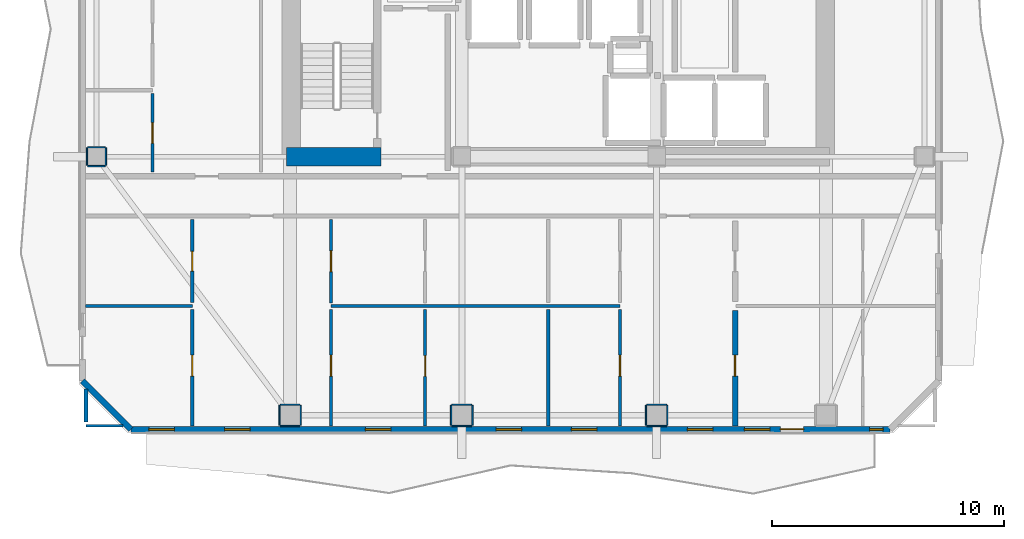
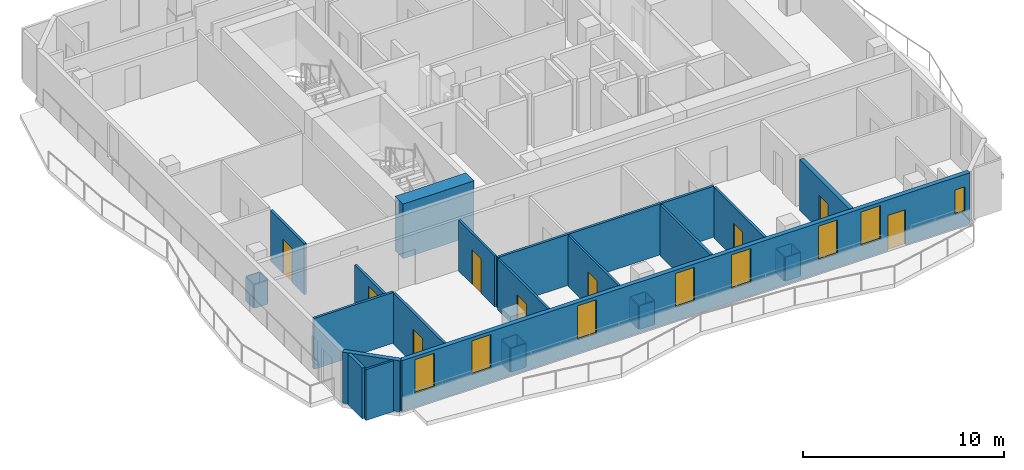
# One storey, part 2 of 10: 32 walls, 9 doors, 8 windows, 17 openings.
"""IFC4 building model written with IfcOpenShell, lengths in metres."""

from ifc_helpers import new_model, si_unit, direction, frame, frame_2d, origin, place, context, subcontext, project, spatial, rectangle, extrude, material, layer, layer_set, type_object, element, fill, save


model = new_model("IFC4")

# Units and contexts
model_context = context("Model", 3, precision=1e-05, world=origin(), true_north=direction((0.0, 1.0)))
body_context = subcontext(model_context, "Body", "Model", "MODEL_VIEW")
ifc_project = project(units=[si_unit("LENGTHUNIT", "METRE"), si_unit("AREAUNIT", "SQUARE_METRE"), si_unit("VOLUMEUNIT", "CUBIC_METRE"), si_unit("PLANEANGLEUNIT", "RADIAN"), si_unit("MASSUNIT", "GRAM", prefix="KILO")], contexts=[model_context])

# Site, building, storey
site_placement = place(None, origin())
site = spatial("IfcSite", under=ifc_project, at=site_placement, CompositionType="ELEMENT")
building_placement = place(site_placement, origin())
building = spatial("IfcBuilding", under=site, at=building_placement, Name="Solanera Arch Residences", CompositionType="ELEMENT")
storey_placement = place(building_placement, frame((0.0, 0.0, 196.800048828125)))
storey = spatial("IfcBuildingStorey", under=building, at=storey_placement, Name="L57", CompositionType="ELEMENT", Elevation=196.800048828125)

# Walls
ifc_material_1 = material(Name="Fire-Rated Gypsum Stud Partition", Category="gypsum")
ifc_layer_1 = layer(ifc_material_1, 0.06005859375)
ifc_layer_set_1 = layer_set([ifc_layer_1], Name="Fire-Rated Gypsum Stud Partition")
wall_type_1 = type_object("IfcWallType", Name="Column Acoustic Furring Wall 60", PredefinedType="PARTITIONING", material=ifc_layer_set_1)
for number, where, z_axis, x_axis, name in (
    (1, (12.97509765625, 10.39306640625, 0.0), (0.0, 0.0, 1.0), (1.0, 0.0, 0.0), "L57 Column Furring 9S"),
    (2, (12.97509765625, 11.306884765625, 0.0), (0.0, 0.0, 1.0), (1.0, 0.0, 0.0), "L57 Column Furring 9N"),
    (3, (12.943115234375, 10.425048828125, 0.0), (0.0, 0.0, 1.0), (0.0, 1.0, 0.0), "L57 Column Furring 9W"),
    (4, (13.85693359375, 10.425048828125, 0.0), (0.0, 0.0, 1.0), (0.0, 1.0, 0.0), "L57 Column Furring 9E"),
):
    element("IfcWall", number, at=place(storey_placement, frame(where, z_axis=z_axis, x_axis=x_axis)), inside=storey, type_object=wall_type_1, Name=name, PredefinedType="PARTITIONING", context=body_context, shape_type="SweptSolid", body=[
        extrude(rectangle(XDim=0.849853515625, YDim=0.06005859375, at=frame_2d((0.4248046875, 0.0))), origin(), (0.0, 0.0, 1.0), 1.449951171875),
    ])
for number, where, z_axis, x_axis, name in (
    (5, (20.375, 10.39306640625, 0.0), (0.0, 0.0, 1.0), (1.0, 0.0, 0.0), "L57 Column Furring 11S"),
    (6, (20.375, 11.306884765625, 0.0), (0.0, 0.0, 1.0), (1.0, 0.0, 0.0), "L57 Column Furring 11N"),
):
    element("IfcWall", number, at=place(storey_placement, frame(where, z_axis=z_axis, x_axis=x_axis)), inside=storey, type_object=wall_type_1, Name=name, PredefinedType="PARTITIONING", context=body_context, shape_type="SweptSolid", body=[
        extrude(rectangle(XDim=0.85009765625, YDim=0.06005859375, at=frame_2d((0.425048828125, 0.0))), origin(), (0.0, 0.0, 1.0), 1.449951171875),
    ])
for number, where, z_axis, x_axis, name in (
    (7, (20.343017578125, 10.425048828125, 0.0), (0.0, 0.0, 1.0), (0.0, 1.0, 0.0), "L57 Column Furring 11W"),
    (8, (21.257080078125, 10.425048828125, 0.0), (0.0, 0.0, 1.0), (0.0, 1.0, 0.0), "L57 Column Furring 11E"),
):
    element("IfcWall", number, at=place(storey_placement, frame(where, z_axis=z_axis, x_axis=x_axis)), inside=storey, type_object=wall_type_1, Name=name, PredefinedType="PARTITIONING", context=body_context, shape_type="SweptSolid", body=[
        extrude(rectangle(XDim=0.849853515625, YDim=0.06005859375, at=frame_2d((0.4248046875, 0.0))), origin(), (0.0, 0.0, 1.0), 1.449951171875),
    ])
for number, where, z_axis, x_axis, name in (
    (9, (28.77490234375, 10.39306640625, 0.0), (0.0, 0.0, 1.0), (1.0, 0.0, 0.0), "L57 Column Furring 13S"),
    (10, (28.77490234375, 11.306884765625, 0.0), (0.0, 0.0, 1.0), (1.0, 0.0, 0.0), "L57 Column Furring 13N"),
):
    element("IfcWall", number, at=place(storey_placement, frame(where, z_axis=z_axis, x_axis=x_axis)), inside=storey, type_object=wall_type_1, Name=name, PredefinedType="PARTITIONING", context=body_context, shape_type="SweptSolid", body=[
        extrude(rectangle(XDim=0.85009765625, YDim=0.06005859375, at=frame_2d((0.425048828125, 0.0))), origin(), (0.0, 0.0, 1.0), 1.449951171875),
    ])
for number, where, z_axis, x_axis, name in (
    (11, (28.742919921875, 10.425048828125, 0.0), (0.0, 0.0, 1.0), (0.0, 1.0, 0.0), "L57 Column Furring 13W"),
    (12, (29.656982421875, 10.425048828125, 0.0), (0.0, 0.0, 1.0), (0.0, 1.0, 0.0), "L57 Column Furring 13E"),
):
    element("IfcWall", number, at=place(storey_placement, frame(where, z_axis=z_axis, x_axis=x_axis)), inside=storey, type_object=wall_type_1, Name=name, PredefinedType="PARTITIONING", context=body_context, shape_type="SweptSolid", body=[
        extrude(rectangle(XDim=0.849853515625, YDim=0.06005859375, at=frame_2d((0.4248046875, 0.0))), origin(), (0.0, 0.0, 1.0), 1.449951171875),
    ])
for number, where, z_axis, x_axis, name in (
    (13, (4.675048828125, 21.593017578125, 0.0), (0.0, 0.0, 1.0), (1.0, 0.0, 0.0), "L57 Column Furring 17S"),
    (14, (4.675048828125, 22.406982421875, 0.0), (0.0, 0.0, 1.0), (1.0, 0.0, 0.0), "L57 Column Furring 17N"),
    (15, (4.64306640625, 21.625, 0.0), (0.0, 0.0, 1.0), (0.0, 1.0, 0.0), "L57 Column Furring 17W"),
    (16, (5.45703125, 21.625, 0.0), (0.0, 0.0, 1.0), (0.0, 1.0, 0.0), "L57 Column Furring 17E"),
):
    element("IfcWall", number, at=place(storey_placement, frame(where, z_axis=z_axis, x_axis=x_axis)), inside=storey, type_object=wall_type_1, Name=name, PredefinedType="PARTITIONING", context=body_context, shape_type="SweptSolid", body=[
        extrude(rectangle(XDim=0.75, YDim=0.06005859375, at=frame_2d((0.375, 0.0))), origin(), (0.0, 0.0, 1.0), 1.449951171875),
    ])
ifc_material_2 = material(Name="Concrete C40/50 (f'c = 45 MPa)", Category="concrete")
ifc_layer_2 = layer(ifc_material_2, 0.800048828125)
ifc_layer_set_2 = layer_set([ifc_layer_2], Name="Concrete C40/50 (f'c = 45 MPa)")
wall_type_2 = type_object("IfcWallType", Name="Core Shear Wall CW-800", PredefinedType="SHEAR", material=ifc_layer_set_2)
wall_1_placement = place(storey_placement, frame((13.239990234375, 22.0, 0.0), z_axis=(0.0, 0.0, 1.0), x_axis=(1.0, 0.0, 0.0)))
element("IfcWall", 17, at=wall_1_placement, inside=storey, type_object=wall_type_2, Name="L57 South-West Core Shear Wall", PredefinedType="SHEAR", context=body_context, shape_type="SweptSolid", body=[
    extrude(rectangle(XDim=4.080078125, YDim=0.800048828125, at=frame_2d((2.0400390625, 0.0))), origin(), (0.0, 0.0, 1.0), 3.320068359375),
])
ifc_material_3 = material(Name="Autoclaved Aerated Concrete Blockwork", Category="masonry")
ifc_layer_3 = layer(ifc_material_3, 0.179931640625)
ifc_layer_set_3 = layer_set([ifc_layer_3], Name="Autoclaved Aerated Concrete Blockwork")
wall_type_3 = type_object("IfcWallType", Name="Corridor Fire Partition 180", PredefinedType="PARTITIONING", material=ifc_layer_set_3)
wall_2_placement = place(storey_placement, frame((4.60009765625, 10.55810546875, 0.0), z_axis=(0.0, 0.0, 1.0), x_axis=(0.0, 1.0, 0.0)))
element("IfcWall", 18, at=wall_2_placement, inside=storey, type_object=wall_type_3, Name="L57 Interior Partition V7 1", PredefinedType="PARTITIONING", context=body_context, shape_type="SweptSolid", body=[
    extrude(rectangle(XDim=1.430908203125, YDim=0.179931640625, at=frame_2d((0.71533203125, 0.0))), origin(), (0.0, 0.0, 1.0), 3.099853515625),
])

# Wall, openings, door, windows
ifc_material_4 = material(Name="Precast Concrete C35/45", Category="concrete")
ifc_layer_4 = layer(ifc_material_4, 0.260009765625)
ifc_layer_set_4 = layer_set([ifc_layer_4], Name="Precast Concrete C35/45")
wall_type_4 = type_object("IfcWallType", Name="Exterior Wall Precast Masonry-Frame 260", PredefinedType="STANDARD", material=ifc_layer_set_4)
wall_3_placement = place(storey_placement, frame((39.2548828125, 10.2451171875, 0.0), z_axis=(0.0, 0.0, 1.0), x_axis=(-1.0, 0.0, 0.0)))
wall_3 = element("IfcWall", 19, at=wall_3_placement, inside=storey, type_object=wall_type_4, Name="L57 Tower Exterior Precast Masonry-Frame Wall S", PredefinedType="STANDARD", context=body_context, shape_type="SweptSolid", body=[
    extrude(rectangle(XDim=32.7099609375, YDim=0.260009765625, at=frame_2d((16.35498046875, 0.0))), origin(), (0.0, 0.0, 1.0), 3.099853515625),
])
opening_1_placement = place(wall_3_placement, frame((3.720947265625, 0.0, 0.0)))
opening_1 = element("IfcOpeningElement", 20, at=opening_1_placement, cuts=wall_3, Name="Opening DB-01", PredefinedType="OPENING", context=body_context, shape_type="SweptSolid", body=[
    extrude(rectangle(XDim=1.0, YDim=2.14990234375, at=frame_2d((0.5, 1.074951171875))), frame((0.0, 0.139892578125, 0.0), z_axis=(0.0, -1.0, 0.0), x_axis=(1.0, 0.0, 0.0)), (0.0, 0.0, 1.0), 0.28),
])
opening_2_placement = place(wall_3_placement, frame((27.575927734375, 0.0, 0.85009765625)))
opening_2 = element("IfcOpeningElement", 21, at=opening_2_placement, cuts=wall_3, Name="Opening W-11", PredefinedType="OPENING", context=body_context, shape_type="SweptSolid", body=[
    extrude(rectangle(XDim=1.10009765625, YDim=2.050048828125, at=frame_2d((0.550048828125, 1.02490234375))), frame((0.0, 0.139892578125, 0.0), z_axis=(0.0, -1.0, 0.0), x_axis=(1.0, 0.0, 0.0)), (0.0, 0.0, 1.0), 0.28),
])
opening_3_placement = place(wall_3_placement, frame((30.845947265625, 0.0, 0.85009765625)))
opening_3 = element("IfcOpeningElement", 22, at=opening_3_placement, cuts=wall_3, Name="Opening W-11", PredefinedType="OPENING", context=body_context, shape_type="SweptSolid", body=[
    extrude(rectangle(XDim=1.10009765625, YDim=2.050048828125, at=frame_2d((0.550048828125, 1.02490234375))), frame((0.0, 0.139892578125, 0.0), z_axis=(0.0, -1.0, 0.0), x_axis=(1.0, 0.0, 0.0)), (0.0, 0.0, 1.0), 0.28),
])
opening_4_placement = place(wall_3_placement, frame((21.514892578125, 0.0, 0.85009765625)))
opening_4 = element("IfcOpeningElement", 23, at=opening_4_placement, cuts=wall_3, Name="Opening W-11", PredefinedType="OPENING", context=body_context, shape_type="SweptSolid", body=[
    extrude(rectangle(XDim=1.10009765625, YDim=2.050048828125, at=frame_2d((0.550048828125, 1.02490234375))), frame((0.0, 0.139892578125, 0.0), z_axis=(0.0, -1.0, 0.0), x_axis=(1.0, 0.0, 0.0)), (0.0, 0.0, 1.0), 0.28),
])
opening_5_placement = place(wall_3_placement, frame((15.8779296875, 0.0, 0.85009765625)))
opening_5 = element("IfcOpeningElement", 24, at=opening_5_placement, cuts=wall_3, Name="Opening W-11", PredefinedType="OPENING", context=body_context, shape_type="SweptSolid", body=[
    extrude(rectangle(XDim=1.10009765625, YDim=2.050048828125, at=frame_2d((0.550048828125, 1.02490234375))), frame((0.0, 0.139892578125, 0.0), z_axis=(0.0, -1.0, 0.0), x_axis=(1.0, 0.0, 0.0)), (0.0, 0.0, 1.0), 0.28),
])
opening_6_placement = place(wall_3_placement, frame((7.632080078125, 0.0, 0.85009765625)))
opening_6 = element("IfcOpeningElement", 25, at=opening_6_placement, cuts=wall_3, Name="Opening W-11", PredefinedType="OPENING", context=body_context, shape_type="SweptSolid", body=[
    extrude(rectangle(XDim=1.10009765625, YDim=2.050048828125, at=frame_2d((0.550048828125, 1.02490234375))), frame((0.0, 0.139892578125, 0.0), z_axis=(0.0, -1.0, 0.0), x_axis=(1.0, 0.0, 0.0)), (0.0, 0.0, 1.0), 0.28),
])
opening_7_placement = place(wall_3_placement, frame((12.631103515625, 0.0, 0.85009765625)))
opening_7 = element("IfcOpeningElement", 26, at=opening_7_placement, cuts=wall_3, Name="Opening W-11", PredefinedType="OPENING", context=body_context, shape_type="SweptSolid", body=[
    extrude(rectangle(XDim=1.10009765625, YDim=2.050048828125, at=frame_2d((0.550048828125, 1.02490234375))), frame((0.0, 0.139892578125, 0.0), z_axis=(0.0, -1.0, 0.0), x_axis=(1.0, 0.0, 0.0)), (0.0, 0.0, 1.0), 0.28),
])
opening_8_placement = place(wall_3_placement, frame((5.177001953125, 0.0, 0.85009765625)))
opening_8 = element("IfcOpeningElement", 27, at=opening_8_placement, cuts=wall_3, Name="Opening W-11", PredefinedType="OPENING", context=body_context, shape_type="SweptSolid", body=[
    extrude(rectangle(XDim=1.10009765625, YDim=2.050048828125, at=frame_2d((0.550048828125, 1.02490234375))), frame((0.0, 0.139892578125, 0.0), z_axis=(0.0, -1.0, 0.0), x_axis=(1.0, 0.0, 0.0)), (0.0, 0.0, 1.0), 0.28),
])
opening_9_placement = place(wall_3_placement, frame((0.29296875, 0.0, 0.85009765625)))
opening_9 = element("IfcOpeningElement", 28, at=opening_9_placement, cuts=wall_3, Name="Opening W-14", PredefinedType="OPENING", context=body_context, shape_type="SweptSolid", body=[
    extrude(rectangle(XDim=0.580078125, YDim=1.5, at=frame_2d((0.2900390625, 0.75))), frame((0.0, 0.139892578125, 0.0), z_axis=(0.0, -1.0, 0.0), x_axis=(1.0, 0.0, 0.0)), (0.0, 0.0, 1.0), 0.28),
])
ifc_material_5 = material(Name="Anodised Aluminium Alloy 6063-T6", Category="aluminium")
door_type_1 = type_object("IfcDoorType", Name="Glazed Balcony Swing Door DB-01", OperationType="NOTDEFINED", PredefinedType="DOOR", material=ifc_material_5)
door_1_placement = place(opening_1_placement, origin())
door_1 = element("IfcDoor", 29, at=door_1_placement, inside=storey, type_object=door_type_1, Name="DR-L57-OUT-01", OperationType="SINGLE_SWING_LEFT", OverallHeight=2.14990234375, OverallWidth=1.0, PredefinedType="DOOR", context=body_context, shape_type="SweptSolid", body=[
    extrude(rectangle(XDim=1.0, YDim=2.14990234375, at=frame_2d((0.5, 1.074951171875))), frame((0.0, 0.02490234375, 0.0), z_axis=(0.0, -1.0, 0.0), x_axis=(1.0, 0.0, 0.0)), (0.0, 0.0, 1.0), 0.050048828125),
])
fill(opening_1, door_1)
ifc_material_6 = material(Name="Double Glazed Low-E Laminated Glass", Category="glass")
window_type_1 = type_object("IfcWindowType", Name="Punched Window W-11", PartitioningType="SINGLE_PANEL", PredefinedType="WINDOW", material=ifc_material_6)
window_1_placement = place(opening_2_placement, origin())
window_1 = element("IfcWindow", 30, at=window_1_placement, inside=storey, type_object=window_type_1, Name="L57 5701-LIV Punched Window", OverallHeight=2.050048828125, OverallWidth=1.10009765625, PartitioningType="SINGLE_PANEL", PredefinedType="WINDOW", context=body_context, shape_type="SweptSolid", body=[
    extrude(rectangle(XDim=1.10009765625, YDim=2.050048828125, at=frame_2d((0.550048828125, 1.02490234375))), frame((0.0, 0.030029296875, 0.0), z_axis=(0.0, -1.0, 0.0), x_axis=(1.0, 0.0, 0.0)), (0.0, 0.0, 1.0), 0.06005859375),
])
fill(opening_2, window_1)
window_2_placement = place(opening_3_placement, origin())
window_2 = element("IfcWindow", 31, at=window_2_placement, inside=storey, type_object=window_type_1, Name="L57 5701-BR1 Punched Window", OverallHeight=2.050048828125, OverallWidth=1.10009765625, PartitioningType="SINGLE_PANEL", PredefinedType="WINDOW", context=body_context, shape_type="SweptSolid", body=[
    extrude(rectangle(XDim=1.10009765625, YDim=2.050048828125, at=frame_2d((0.550048828125, 1.02490234375))), frame((0.0, 0.030029296875, 0.0), z_axis=(0.0, -1.0, 0.0), x_axis=(1.0, 0.0, 0.0)), (0.0, 0.0, 1.0), 0.06005859375),
])
fill(opening_3, window_2)
window_3_placement = place(opening_4_placement, origin())
window_3 = element("IfcWindow", 32, at=window_3_placement, inside=storey, type_object=window_type_1, Name="L57 5701-BR2 Punched Window", OverallHeight=2.050048828125, OverallWidth=1.10009765625, PartitioningType="SINGLE_PANEL", PredefinedType="WINDOW", context=body_context, shape_type="SweptSolid", body=[
    extrude(rectangle(XDim=1.10009765625, YDim=2.050048828125, at=frame_2d((0.550048828125, 1.02490234375))), frame((0.0, 0.030029296875, 0.0), z_axis=(0.0, -1.0, 0.0), x_axis=(1.0, 0.0, 0.0)), (0.0, 0.0, 1.0), 0.06005859375),
])
fill(opening_4, window_3)
window_4_placement = place(opening_5_placement, origin())
window_4 = element("IfcWindow", 33, at=window_4_placement, inside=storey, type_object=window_type_1, Name="L57 5701-BR3 Punched Window", OverallHeight=2.050048828125, OverallWidth=1.10009765625, PartitioningType="SINGLE_PANEL", PredefinedType="WINDOW", context=body_context, shape_type="SweptSolid", body=[
    extrude(rectangle(XDim=1.10009765625, YDim=2.050048828125, at=frame_2d((0.550048828125, 1.02490234375))), frame((0.0, 0.030029296875, 0.0), z_axis=(0.0, -1.0, 0.0), x_axis=(1.0, 0.0, 0.0)), (0.0, 0.0, 1.0), 0.06005859375),
])
fill(opening_5, window_4)
window_5_placement = place(opening_6_placement, origin())
window_5 = element("IfcWindow", 34, at=window_5_placement, inside=storey, type_object=window_type_1, Name="L57 5702-LIV Punched Window", OverallHeight=2.050048828125, OverallWidth=1.10009765625, PartitioningType="SINGLE_PANEL", PredefinedType="WINDOW", context=body_context, shape_type="SweptSolid", body=[
    extrude(rectangle(XDim=1.10009765625, YDim=2.050048828125, at=frame_2d((0.550048828125, 1.02490234375))), frame((0.0, 0.030029296875, 0.0), z_axis=(0.0, -1.0, 0.0), x_axis=(1.0, 0.0, 0.0)), (0.0, 0.0, 1.0), 0.06005859375),
])
fill(opening_6, window_5)
window_6_placement = place(opening_7_placement, origin())
window_6 = element("IfcWindow", 35, at=window_6_placement, inside=storey, type_object=window_type_1, Name="L57 5702-BR1 Punched Window", OverallHeight=2.050048828125, OverallWidth=1.10009765625, PartitioningType="SINGLE_PANEL", PredefinedType="WINDOW", context=body_context, shape_type="SweptSolid", body=[
    extrude(rectangle(XDim=1.10009765625, YDim=2.050048828125, at=frame_2d((0.550048828125, 1.02490234375))), frame((0.0, 0.030029296875, 0.0), z_axis=(0.0, -1.0, 0.0), x_axis=(1.0, 0.0, 0.0)), (0.0, 0.0, 1.0), 0.06005859375),
])
fill(opening_7, window_6)
window_7_placement = place(opening_8_placement, origin())
window_7 = element("IfcWindow", 36, at=window_7_placement, inside=storey, type_object=window_type_1, Name="L57 5702-BR2 Punched Window", OverallHeight=2.050048828125, OverallWidth=1.10009765625, PartitioningType="SINGLE_PANEL", PredefinedType="WINDOW", context=body_context, shape_type="SweptSolid", body=[
    extrude(rectangle(XDim=1.10009765625, YDim=2.050048828125, at=frame_2d((0.550048828125, 1.02490234375))), frame((0.0, 0.030029296875, 0.0), z_axis=(0.0, -1.0, 0.0), x_axis=(1.0, 0.0, 0.0)), (0.0, 0.0, 1.0), 0.06005859375),
])
fill(opening_8, window_7)
ifc_material_7 = material(Name="Double Glazed Low-E Laminated Glass", Category="glass")
window_type_2 = type_object("IfcWindowType", Name="Punched Window W-14", PartitioningType="SINGLE_PANEL", PredefinedType="WINDOW", material=ifc_material_7)
window_8_placement = place(opening_9_placement, origin())
window_8 = element("IfcWindow", 37, at=window_8_placement, inside=storey, type_object=window_type_2, Name="L57 5702-BR3 Punched Window", OverallHeight=1.5, OverallWidth=0.580078125, PartitioningType="SINGLE_PANEL", PredefinedType="WINDOW", context=body_context, shape_type="SweptSolid", body=[
    extrude(rectangle(XDim=0.580078125, YDim=1.5, at=frame_2d((0.2900390625, 0.75))), frame((0.0, 0.030029296875, 0.0), z_axis=(0.0, -1.0, 0.0), x_axis=(1.0, 0.0, 0.0)), (0.0, 0.0, 1.0), 0.06005859375),
])
fill(opening_9, window_8)

# Wall
wall_4_placement = place(storey_placement, frame((6.544921875, 10.2451171875, 0.0), z_axis=(0.0, 0.0, 1.0), x_axis=(-0.707106781187, 0.707106781187, 0.0)))
element("IfcWall", 38, at=wall_4_placement, inside=storey, type_object=wall_type_4, Name="L57 Tower Exterior Precast Masonry-Frame Wall CH7", PredefinedType="STANDARD", context=body_context, shape_type="SweptSolid", body=[
    extrude(rectangle(XDim=2.9697265625, YDim=0.260009765625, at=frame_2d((1.48486328125, 0.0))), origin(), (0.0, 0.0, 1.0), 3.099853515625),
])

# Wall, opening, door
ifc_material_8 = material(Name="Autoclaved Aerated Concrete Blockwork", Category="masonry")
ifc_layer_5 = layer(ifc_material_8, 0.239990234375)
ifc_layer_set_5 = layer_set([ifc_layer_5], Name="Autoclaved Aerated Concrete Blockwork")
wall_type_5 = type_object("IfcWallType", Name="Shaft Wall Fire-Rated 240", PredefinedType="PARTITIONING", material=ifc_layer_set_5)
wall_5_placement = place(storey_placement, frame((32.580078125, 10.386962890625, 0.0), z_axis=(0.0, 0.0, 1.0), x_axis=(0.0, 1.0, 0.0)))
wall_5 = element("IfcWall", 39, at=wall_5_placement, inside=storey, type_object=wall_type_5, Name="L57 Interior Partition V5 1", PredefinedType="PARTITIONING", context=body_context, shape_type="SweptSolid", body=[
    extrude(rectangle(XDim=4.98095703125, YDim=0.239990234375, at=frame_2d((2.490478515625, 0.0))), origin(), (0.0, 0.0, 1.0), 3.099853515625),
])
opening_10_placement = place(wall_5_placement, frame((2.155029296875, 0.0, 0.0)))
opening_10 = element("IfcOpeningElement", 40, at=opening_10_placement, cuts=wall_5, Name="Opening DI-03", PredefinedType="OPENING", context=body_context, shape_type="SweptSolid", body=[
    extrude(rectangle(XDim=0.89990234375, YDim=2.10009765625, at=frame_2d((0.449951171875, 1.050048828125))), frame((0.0, 0.1298828125, 0.0), z_axis=(0.0, -1.0, 0.0), x_axis=(1.0, 0.0, 0.0)), (0.0, 0.0, 1.0), 0.26),
])
ifc_material_9 = material(Name="Fire-Rated Architectural Hardwood", Category="wood")
door_type_2 = type_object("IfcDoorType", Name="Bedroom Swing Door DI-03", OperationType="NOTDEFINED", PredefinedType="DOOR", material=ifc_material_9)
door_2_placement = place(opening_10_placement, origin())
door_2 = element("IfcDoor", 41, at=door_2_placement, inside=storey, type_object=door_type_2, Name="DR-L57-IN-026", OperationType="SINGLE_SWING_LEFT", OverallHeight=2.10009765625, OverallWidth=0.89990234375, PredefinedType="DOOR", context=body_context, shape_type="SweptSolid", body=[
    extrude(rectangle(XDim=0.89990234375, YDim=2.10009765625, at=frame_2d((0.449951171875, 1.050048828125))), frame((0.0, 0.02490234375, 0.0), z_axis=(0.0, -1.0, 0.0), x_axis=(1.0, 0.0, 0.0)), (0.0, 0.0, 1.0), 0.050048828125),
])
fill(opening_10, door_2)

# Wall
ifc_material_10 = material(Name="Fire-Rated Gypsum Stud Partition", Category="gypsum")
ifc_layer_6 = layer(ifc_material_10, 0.1201171875)
ifc_layer_set_6 = layer_set([ifc_layer_6], Name="Fire-Rated Gypsum Stud Partition")
wall_type_6 = type_object("IfcWallType", Name="Unit Drywall Partition 120", PredefinedType="PARTITIONING", material=ifc_layer_set_6)
wall_6_placement = place(storey_placement, frame((4.60009765625, 10.39990234375, 0.0), z_axis=(0.0, 0.0, 1.0), x_axis=(1.0, 0.0, 0.0)))
element("IfcWall", 42, at=wall_6_placement, inside=storey, type_object=wall_type_6, Name="L57 Interior Partition H19 1", PredefinedType="PARTITIONING", context=body_context, shape_type="SweptSolid", body=[
    extrude(rectangle(XDim=1.5888671875, YDim=0.1201171875, at=frame_2d((0.79443359375, 0.0))), origin(), (0.0, 0.0, 1.0), 3.099853515625),
])

# Wall, opening, door
wall_7_placement = place(storey_placement, frame((15.160888671875, 10.386962890625, 0.0), z_axis=(0.0, 0.0, 1.0), x_axis=(0.0, 1.0, 0.0)))
wall_7 = element("IfcWall", 43, at=wall_7_placement, inside=storey, type_object=wall_type_6, Name="L57 Interior Partition V19 1", PredefinedType="PARTITIONING", context=body_context, shape_type="SweptSolid", body=[
    extrude(rectangle(XDim=5.033935546875, YDim=0.1201171875, at=frame_2d((2.51708984375, 0.0))), origin(), (0.0, 0.0, 1.0), 3.099853515625),
])
opening_11_placement = place(wall_7_placement, frame((2.155029296875, 0.0, 0.0)))
opening_11 = element("IfcOpeningElement", 44, at=opening_11_placement, cuts=wall_7, Name="Opening DI-03", PredefinedType="OPENING", context=body_context, shape_type="SweptSolid", body=[
    extrude(rectangle(XDim=0.89990234375, YDim=2.10009765625, at=frame_2d((0.449951171875, 1.050048828125))), frame((0.0, 0.070068359375, 0.0), z_axis=(0.0, -1.0, 0.0), x_axis=(1.0, 0.0, 0.0)), (0.0, 0.0, 1.0), 0.1401),
])
door_3_placement = place(opening_11_placement, origin())
door_3 = element("IfcDoor", 45, at=door_3_placement, inside=storey, type_object=door_type_2, Name="DR-L57-IN-019", OperationType="SINGLE_SWING_RIGHT", OverallHeight=2.10009765625, OverallWidth=0.89990234375, PredefinedType="DOOR", context=body_context, shape_type="SweptSolid", body=[
    extrude(rectangle(XDim=0.89990234375, YDim=2.10009765625, at=frame_2d((0.449951171875, 1.050048828125))), frame((0.0, 0.02490234375, 0.0), z_axis=(0.0, -1.0, 0.0), x_axis=(1.0, 0.0, 0.0)), (0.0, 0.0, 1.0), 0.050048828125),
])
fill(opening_11, door_3)

wall_8_placement = place(storey_placement, frame((15.160888671875, 15.697021484375, 0.0), z_axis=(0.0, 0.0, 1.0), x_axis=(0.0, 1.0, 0.0)))
wall_8 = element("IfcWall", 46, at=wall_8_placement, inside=storey, type_object=wall_type_6, Name="L57 Interior Partition V19 2", PredefinedType="PARTITIONING", context=body_context, shape_type="SweptSolid", body=[
    extrude(rectangle(XDim=3.594970703125, YDim=0.1201171875, at=frame_2d((1.79736328125, 0.0))), origin(), (0.0, 0.0, 1.0), 3.099853515625),
])
opening_12_placement = place(wall_8_placement, frame((1.344970703125, 0.0, 0.0)))
opening_12 = element("IfcOpeningElement", 47, at=opening_12_placement, cuts=wall_8, Name="Opening DI-02", PredefinedType="OPENING", context=body_context, shape_type="SweptSolid", body=[
    extrude(rectangle(XDim=0.89990234375, YDim=2.10009765625, at=frame_2d((0.449951171875, 1.050048828125))), frame((0.0, 0.070068359375, 0.0), z_axis=(0.0, -1.0, 0.0), x_axis=(1.0, 0.0, 0.0)), (0.0, 0.0, 1.0), 0.1401),
])
ifc_material_11 = material(Name="Fire-Rated Architectural Hardwood", Category="wood")
door_type_3 = type_object("IfcDoorType", Name="Suite Room Swing Door DI-02", OperationType="NOTDEFINED", PredefinedType="DOOR", material=ifc_material_11)
door_4_placement = place(opening_12_placement, origin())
door_4 = element("IfcDoor", 48, at=door_4_placement, inside=storey, type_object=door_type_3, Name="DR-L57-IN-017", OperationType="SINGLE_SWING_RIGHT", OverallHeight=2.10009765625, OverallWidth=0.89990234375, PredefinedType="DOOR", context=body_context, shape_type="SweptSolid", body=[
    extrude(rectangle(XDim=0.89990234375, YDim=2.10009765625, at=frame_2d((0.449951171875, 1.050048828125))), frame((0.0, 0.02490234375, 0.0), z_axis=(0.0, -1.0, 0.0), x_axis=(1.0, 0.0, 0.0)), (0.0, 0.0, 1.0), 0.050048828125),
])
fill(opening_12, door_4)

wall_9_placement = place(storey_placement, frame((19.219970703125, 10.386962890625, 0.0), z_axis=(0.0, 0.0, 1.0), x_axis=(0.0, 1.0, 0.0)))
wall_9 = element("IfcWall", 49, at=wall_9_placement, inside=storey, type_object=wall_type_6, Name="L57 Interior Partition V21 1", PredefinedType="PARTITIONING", context=body_context, shape_type="SweptSolid", body=[
    extrude(rectangle(XDim=5.033935546875, YDim=0.1201171875, at=frame_2d((2.51708984375, 0.0))), origin(), (0.0, 0.0, 1.0), 3.099853515625),
])
opening_13_placement = place(wall_9_placement, frame((2.14208984375, 0.0, 0.0)))
opening_13 = element("IfcOpeningElement", 50, at=opening_13_placement, cuts=wall_9, Name="Opening DI-03", PredefinedType="OPENING", context=body_context, shape_type="SweptSolid", body=[
    extrude(rectangle(XDim=0.89990234375, YDim=2.10009765625, at=frame_2d((0.449951171875, 1.050048828125))), frame((0.0, 0.070068359375, 0.0), z_axis=(0.0, -1.0, 0.0), x_axis=(1.0, 0.0, 0.0)), (0.0, 0.0, 1.0), 0.1401),
])
door_5_placement = place(opening_13_placement, origin())
door_5 = element("IfcDoor", 51, at=door_5_placement, inside=storey, type_object=door_type_2, Name="DR-L57-IN-020", OperationType="SINGLE_SWING_LEFT", OverallHeight=2.10009765625, OverallWidth=0.89990234375, PredefinedType="DOOR", context=body_context, shape_type="SweptSolid", body=[
    extrude(rectangle(XDim=0.89990234375, YDim=2.10009765625, at=frame_2d((0.449951171875, 1.050048828125))), frame((0.0, 0.02490234375, 0.0), z_axis=(0.0, -1.0, 0.0), x_axis=(1.0, 0.0, 0.0)), (0.0, 0.0, 1.0), 0.050048828125),
])
fill(opening_13, door_5)

# Walls
ifc_material_12 = material(Name="Autoclaved Aerated Concrete Blockwork", Category="masonry")
ifc_layer_7 = layer(ifc_material_12, 0.139892578125)
ifc_layer_set_7 = layer_set([ifc_layer_7], Name="Autoclaved Aerated Concrete Blockwork")
wall_type_7 = type_object("IfcWallType", Name="Wet-Room Partition 140", PredefinedType="PARTITIONING", material=ifc_layer_set_7)
wall_10_placement = place(storey_placement, frame((4.5869140625, 15.55908203125, 0.0), z_axis=(0.0, 0.0, 1.0), x_axis=(1.0, 0.0, 0.0)))
element("IfcWall", 52, at=wall_10_placement, inside=storey, type_object=wall_type_7, Name="L57 Interior Partition H13", PredefinedType="PARTITIONING", context=body_context, shape_type="SweptSolid", body=[
    extrude(rectangle(XDim=4.59619140625, YDim=0.139892578125, at=frame_2d((2.298095703125, 0.0))), origin(), (0.0, 0.0, 1.0), 3.099853515625),
])
wall_11_placement = place(storey_placement, frame((15.160888671875, 15.55908203125, 0.0), z_axis=(0.0, 0.0, 1.0), x_axis=(1.0, 0.0, 0.0)))
element("IfcWall", 53, at=wall_11_placement, inside=storey, type_object=wall_type_7, Name="L57 Interior Partition H14", PredefinedType="PARTITIONING", context=body_context, shape_type="SweptSolid", body=[
    extrude(rectangle(XDim=12.459228515625, YDim=0.139892578125, at=frame_2d((6.2294921875, 0.0))), origin(), (0.0, 0.0, 1.0), 3.099853515625),
])

# Wall, opening, door
wall_12_placement = place(storey_placement, frame((7.468994140625, 21.347900390625, 0.0), z_axis=(0.0, 0.0, 1.0), x_axis=(0.0, 1.0, 0.0)))
wall_12 = element("IfcWall", 54, at=wall_12_placement, inside=storey, type_object=wall_type_7, Name="L57 Interior Partition V14 1", PredefinedType="PARTITIONING", context=body_context, shape_type="SweptSolid", body=[
    extrude(rectangle(XDim=3.373046875, YDim=0.139892578125, at=frame_2d((1.6865234375, 0.0))), origin(), (0.0, 0.0, 1.0), 3.099853515625),
])
opening_14_placement = place(wall_12_placement, frame((1.22412109375, 0.0, 0.0)))
opening_14 = element("IfcOpeningElement", 55, at=opening_14_placement, cuts=wall_12, Name="Opening DI-02", PredefinedType="OPENING", context=body_context, shape_type="SweptSolid", body=[
    extrude(rectangle(XDim=0.89990234375, YDim=2.10009765625, at=frame_2d((0.449951171875, 1.050048828125))), frame((0.0, 0.079833984375, 0.0), z_axis=(0.0, -1.0, 0.0), x_axis=(1.0, 0.0, 0.0)), (0.0, 0.0, 1.0), 0.1599),
])
door_6_placement = place(opening_14_placement, origin())
door_6 = element("IfcDoor", 56, at=door_6_placement, inside=storey, type_object=door_type_3, Name="DR-L57-IN-033", OperationType="SINGLE_SWING_RIGHT", OverallHeight=2.10009765625, OverallWidth=0.89990234375, PredefinedType="DOOR", context=body_context, shape_type="SweptSolid", body=[
    extrude(rectangle(XDim=0.89990234375, YDim=2.10009765625, at=frame_2d((0.449951171875, 1.050048828125))), frame((0.0, 0.02490234375, 0.0), z_axis=(0.0, -1.0, 0.0), x_axis=(1.0, 0.0, 0.0)), (0.0, 0.0, 1.0), 0.050048828125),
])
fill(opening_14, door_6)

wall_13_placement = place(storey_placement, frame((9.18310546875, 10.386962890625, 0.0), z_axis=(0.0, 0.0, 1.0), x_axis=(0.0, 1.0, 0.0)))
wall_13 = element("IfcWall", 57, at=wall_13_placement, inside=storey, type_object=wall_type_7, Name="L57 Interior Partition V15 1", PredefinedType="PARTITIONING", context=body_context, shape_type="SweptSolid", body=[
    extrude(rectangle(XDim=5.02392578125, YDim=0.139892578125, at=frame_2d((2.511962890625, 0.0))), origin(), (0.0, 0.0, 1.0), 3.099853515625),
])
opening_15_placement = place(wall_13_placement, frame((2.155029296875, 0.0, 0.0)))
opening_15 = element("IfcOpeningElement", 58, at=opening_15_placement, cuts=wall_13, Name="Opening DI-03", PredefinedType="OPENING", context=body_context, shape_type="SweptSolid", body=[
    extrude(rectangle(XDim=0.89990234375, YDim=2.10009765625, at=frame_2d((0.449951171875, 1.050048828125))), frame((0.0, 0.079833984375, 0.0), z_axis=(0.0, -1.0, 0.0), x_axis=(1.0, 0.0, 0.0)), (0.0, 0.0, 1.0), 0.1599),
])
door_7_placement = place(opening_15_placement, origin())
door_7 = element("IfcDoor", 59, at=door_7_placement, inside=storey, type_object=door_type_2, Name="DR-L57-IN-016", OperationType="SINGLE_SWING_LEFT", OverallHeight=2.10009765625, OverallWidth=0.89990234375, PredefinedType="DOOR", context=body_context, shape_type="SweptSolid", body=[
    extrude(rectangle(XDim=0.89990234375, YDim=2.10009765625, at=frame_2d((0.449951171875, 1.050048828125))), frame((0.0, 0.02490234375, 0.0), z_axis=(0.0, -1.0, 0.0), x_axis=(1.0, 0.0, 0.0)), (0.0, 0.0, 1.0), 0.050048828125),
])
fill(opening_15, door_7)

wall_14_placement = place(storey_placement, frame((9.18310546875, 15.70703125, 0.0), z_axis=(0.0, 0.0, 1.0), x_axis=(0.0, 1.0, 0.0)))
wall_14 = element("IfcWall", 60, at=wall_14_placement, inside=storey, type_object=wall_type_7, Name="L57 Interior Partition V15 2", PredefinedType="PARTITIONING", context=body_context, shape_type="SweptSolid", body=[
    extrude(rectangle(XDim=3.574951171875, YDim=0.139892578125, at=frame_2d((1.78759765625, 0.0))), origin(), (0.0, 0.0, 1.0), 2.47705078125),
])
opening_16_placement = place(wall_14_placement, frame((1.35498046875, 0.0, 0.0)))
opening_16 = element("IfcOpeningElement", 61, at=opening_16_placement, cuts=wall_14, Name="Opening DI-05", PredefinedType="OPENING", context=body_context, shape_type="SweptSolid", body=[
    extrude(rectangle(XDim=0.860107421875, YDim=2.02001953125, at=frame_2d((0.43017578125, 1.010009765625))), frame((0.0, 0.079833984375, 0.0), z_axis=(0.0, -1.0, 0.0), x_axis=(1.0, 0.0, 0.0)), (0.0, 0.0, 1.0), 0.1599),
])
ifc_material_13 = material(Name="Fire-Rated Architectural Hardwood", Category="wood")
door_type_4 = type_object("IfcDoorType", Name="Bathroom Swing Door DI-05", OperationType="NOTDEFINED", PredefinedType="DOOR", material=ifc_material_13)
door_8_placement = place(opening_16_placement, origin())
door_8 = element("IfcDoor", 62, at=door_8_placement, inside=storey, type_object=door_type_4, Name="DR-L57-IN-015", OperationType="SINGLE_SWING_RIGHT", OverallHeight=2.02001953125, OverallWidth=0.860107421875, PredefinedType="DOOR", context=body_context, shape_type="SweptSolid", body=[
    extrude(rectangle(XDim=0.860107421875, YDim=2.02001953125, at=frame_2d((0.43017578125, 1.010009765625))), frame((0.0, 0.02490234375, 0.0), z_axis=(0.0, -1.0, 0.0), x_axis=(1.0, 0.0, 0.0)), (0.0, 0.0, 1.0), 0.050048828125),
])
fill(opening_16, door_8)

# Wall
wall_15_placement = place(storey_placement, frame((24.528076171875, 10.386962890625, 0.0), z_axis=(0.0, 0.0, 1.0), x_axis=(0.0, 1.0, 0.0)))
element("IfcWall", 63, at=wall_15_placement, inside=storey, type_object=wall_type_7, Name="L57 Interior Partition V16 1", PredefinedType="PARTITIONING", context=body_context, shape_type="SweptSolid", body=[
    extrude(rectangle(XDim=5.02392578125, YDim=0.139892578125, at=frame_2d((2.511962890625, 0.0))), origin(), (0.0, 0.0, 1.0), 3.099853515625),
])

# Wall, opening, door
wall_16_placement = place(storey_placement, frame((27.6201171875, 10.386962890625, 0.0), z_axis=(0.0, 0.0, 1.0), x_axis=(0.0, 1.0, 0.0)))
wall_16 = element("IfcWall", 64, at=wall_16_placement, inside=storey, type_object=wall_type_7, Name="L57 Interior Partition V17 1", PredefinedType="PARTITIONING", context=body_context, shape_type="SweptSolid", body=[
    extrude(rectangle(XDim=5.02392578125, YDim=0.139892578125, at=frame_2d((2.511962890625, 0.0))), origin(), (0.0, 0.0, 1.0), 3.099853515625),
])
opening_17_placement = place(wall_16_placement, frame((2.155029296875, 0.0, 0.0)))
opening_17 = element("IfcOpeningElement", 65, at=opening_17_placement, cuts=wall_16, Name="Opening DI-03", PredefinedType="OPENING", context=body_context, shape_type="SweptSolid", body=[
    extrude(rectangle(XDim=0.89990234375, YDim=2.10009765625, at=frame_2d((0.449951171875, 1.050048828125))), frame((0.0, 0.079833984375, 0.0), z_axis=(0.0, -1.0, 0.0), x_axis=(1.0, 0.0, 0.0)), (0.0, 0.0, 1.0), 0.1599),
])
door_9_placement = place(opening_17_placement, origin())
door_9 = element("IfcDoor", 66, at=door_9_placement, inside=storey, type_object=door_type_2, Name="DR-L57-IN-023", OperationType="SINGLE_SWING_RIGHT", OverallHeight=2.10009765625, OverallWidth=0.89990234375, PredefinedType="DOOR", context=body_context, shape_type="SweptSolid", body=[
    extrude(rectangle(XDim=0.89990234375, YDim=2.10009765625, at=frame_2d((0.449951171875, 1.050048828125))), frame((0.0, 0.02490234375, 0.0), z_axis=(0.0, -1.0, 0.0), x_axis=(1.0, 0.0, 0.0)), (0.0, 0.0, 1.0), 0.050048828125),
])
fill(opening_17, door_9)

save(model, "model.ifc")
